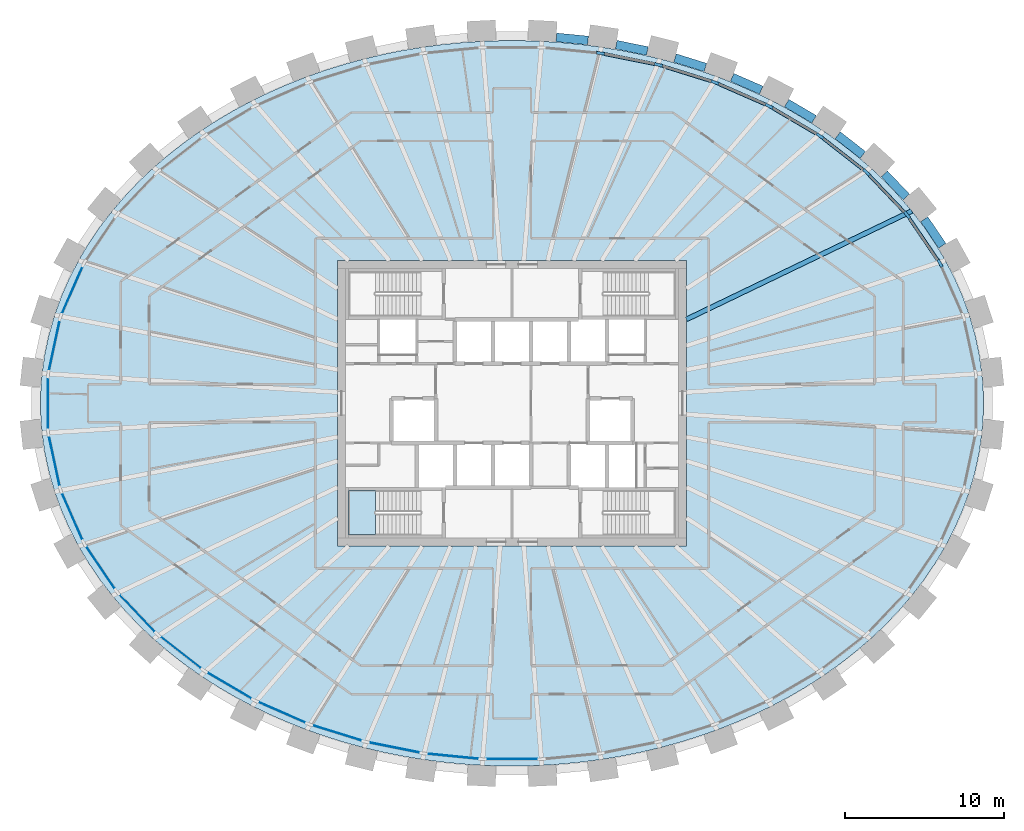
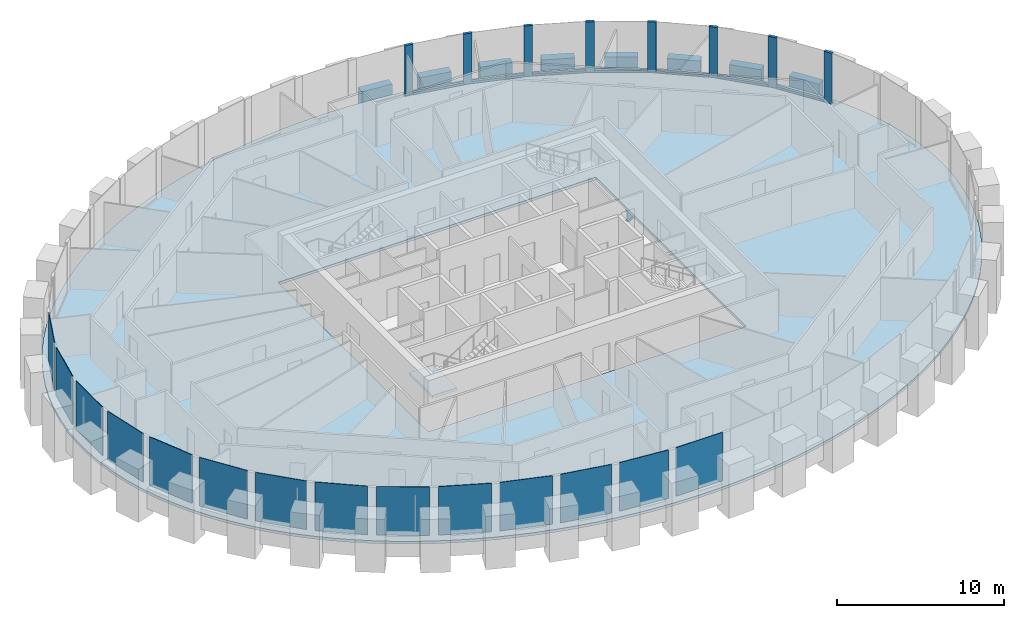
# One storey, part 4 of 11: 15 members, 14 plates, 9 beams, 2 slabs, 2 elements without a shape of their own.
"""IFC4 building model written with IfcOpenShell, lengths in metres."""

from ifc_helpers import new_model, si_unit, direction, frame, origin, origin_2d, place, context, subcontext, project, spatial, polyline, rectangle, i_section, outline, extrude, source, transform, mapped, material, layer, layer_set, material_profile, profile_set, type_object, element, aggregate, save


model = new_model("IFC4")

# Units and contexts
model_context = context("Model", 3, precision=1e-05, world=origin(), true_north=direction((0.0, 1.0)))
body_context = subcontext(model_context, "Body", "Model", "MODEL_VIEW")
ifc_project = project(units=[si_unit("LENGTHUNIT", "METRE"), si_unit("AREAUNIT", "SQUARE_METRE"), si_unit("VOLUMEUNIT", "CUBIC_METRE"), si_unit("PLANEANGLEUNIT", "RADIAN"), si_unit("MASSUNIT", "GRAM", prefix="KILO")], contexts=[model_context])

# Site, building, storey
site_placement = place(None, origin())
site = spatial("IfcSite", under=ifc_project, at=site_placement, CompositionType="ELEMENT")
building_placement = place(site_placement, origin())
building = spatial("IfcBuilding", under=site, at=building_placement, Name="Embergate Tower", CompositionType="ELEMENT")
storey_placement = place(building_placement, frame((0.0, 0.0, 305.199951171875)))
storey = spatial("IfcBuildingStorey", under=building, at=storey_placement, Name="L71", CompositionType="ELEMENT", Elevation=305.199951171875)

# Beams
ifc_material_1 = material(Name="Concrete C50", Category="concrete")
ifc_material_profile_1 = material_profile(ifc_material_1, rectangle(XDim=0.550048828125, YDim=1.5, at=origin_2d()), Name="RC 550x1500")
ifc_profile_set_1 = profile_set([ifc_material_profile_1], Name="Concrete C50")
beam_type_1 = type_object("IfcBeamType", Name="Spandrel beam RC 550x1500 C50", PredefinedType="BEAM", material=ifc_profile_set_1)
shared_shape_1 = source(origin(), body_context, "Body", "SweptSolid", [
    extrude(rectangle(XDim=0.550048828125, YDim=1.5, at=origin_2d()), origin(), (0.0, 0.0, 1.0), 2.02392578125),
])
beam_1_placement = place(storey_placement, frame((27.137939453125, 9.93505859375, 0.0), z_axis=(-0.562220937061, 0.826987072408, 0.0), x_axis=(-0.826987072408, -0.562220937061, 0.0)))
element("IfcBeam", 1, at=beam_1_placement, inside=storey, type_object=beam_type_1, Name="SPN-L71-02", PredefinedType="BEAM", context=body_context, shape_type="MappedRepresentation", body=[
    mapped(shared_shape_1, transform((0.0, 0.0, 0.0))),
])
shared_shape_2 = source(origin(), body_context, "Body", "SweptSolid", [
    extrude(rectangle(XDim=0.550048828125, YDim=1.5, at=origin_2d()), origin(), (0.0, 0.0, 1.0), 2.0185546875),
])
beam_2_placement = place(storey_placement, frame((24.868896484375, 13.009033203125, 0.0), z_axis=(-0.690032605045, 0.723778283714, 0.0), x_axis=(-0.723778283714, -0.690032605045, 0.0)))
element("IfcBeam", 2, at=beam_2_placement, inside=storey, type_object=beam_type_1, Name="SPN-L71-03", PredefinedType="BEAM", context=body_context, shape_type="MappedRepresentation", body=[
    mapped(shared_shape_2, transform((0.0, 0.0, 0.0))),
])
shared_shape_3 = source(origin(), body_context, "Body", "SweptSolid", [
    extrude(rectangle(XDim=0.550048828125, YDim=1.5, at=origin_2d()), origin(), (0.0, 0.0, 1.0), 2.011962890625),
])
beam_3_placement = place(storey_placement, frame((22.1279296875, 15.6640625, 0.0), z_axis=(-0.788259795351, 0.615342583471, 0.0), x_axis=(-0.615342583471, -0.788259795351, 0.0)))
element("IfcBeam", 3, at=beam_3_placement, inside=storey, type_object=beam_type_1, Name="SPN-L71-04", PredefinedType="BEAM", context=body_context, shape_type="MappedRepresentation", body=[
    mapped(shared_shape_3, transform((0.0, 0.0, 0.0))),
])
shared_shape_4 = source(origin(), body_context, "Body", "SweptSolid", [
    extrude(rectangle(XDim=0.550048828125, YDim=1.5, at=origin_2d()), origin(), (0.0, 0.0, 1.0), 2.008056640625),
])
beam_4_placement = place(storey_placement, frame((19.052978515625, 17.9140625, 0.0), z_axis=(-0.86201859197, 0.506876658663, 0.0), x_axis=(-0.506876658663, -0.86201859197, 0.0)))
element("IfcBeam", 4, at=beam_4_placement, inside=storey, type_object=beam_type_1, Name="SPN-L71-05", PredefinedType="BEAM", context=body_context, shape_type="MappedRepresentation", body=[
    mapped(shared_shape_4, transform((0.0, 0.0, 0.0))),
])
shared_shape_5 = source(origin(), body_context, "Body", "SweptSolid", [
    extrude(rectangle(XDim=0.550048828125, YDim=1.5, at=origin_2d()), origin(), (0.0, 0.0, 1.0), 2.0068359375),
])
beam_5_placement = place(storey_placement, frame((15.718994140625, 19.75, 0.0), z_axis=(-0.916455842534, 0.400135837793, 0.0), x_axis=(-0.400135837793, -0.916455842534, 0.0)))
element("IfcBeam", 5, at=beam_5_placement, inside=storey, type_object=beam_type_1, Name="SPN-L71-06", PredefinedType="BEAM", context=body_context, shape_type="MappedRepresentation", body=[
    mapped(shared_shape_5, transform((0.0, 0.0, 0.0))),
])
shared_shape_6 = source(origin(), body_context, "Body", "SweptSolid", [
    extrude(rectangle(XDim=0.550048828125, YDim=1.5, at=origin_2d()), origin(), (0.0, 0.0, 1.0), 2.0048828125),
])
beam_6_placement = place(storey_placement, frame((12.194091796875, 21.181884765625, 0.0), z_axis=(-0.954756929567, 0.297387298725, 0.0), x_axis=(-0.297387298725, -0.954756929567, 0.0)))
element("IfcBeam", 6, at=beam_6_placement, inside=storey, type_object=beam_type_1, Name="SPN-L71-07", PredefinedType="BEAM", context=body_context, shape_type="MappedRepresentation", body=[
    mapped(shared_shape_6, transform((0.0, 0.0, 0.0))),
])
shared_shape_7 = source(origin(), body_context, "Body", "SweptSolid", [
    extrude(rectangle(XDim=0.550048828125, YDim=1.5, at=origin_2d()), origin(), (0.0, 0.0, 1.0), 2.003173828125),
])
beam_7_placement = place(storey_placement, frame((8.535888671875, 22.222900390625, 0.0), z_axis=(-0.980364457571, 0.197194143753, 0.0), x_axis=(-0.197194143753, -0.980364457571, 0.0)))
element("IfcBeam", 7, at=beam_7_placement, inside=storey, type_object=beam_type_1, Name="SPN-L71-08", PredefinedType="BEAM", context=body_context, shape_type="MappedRepresentation", body=[
    mapped(shared_shape_7, transform((0.0, 0.0, 0.0))),
])
shared_shape_8 = source(origin(), body_context, "Body", "SweptSolid", [
    extrude(rectangle(XDim=0.550048828125, YDim=1.5, at=origin_2d()), origin(), (0.0, 0.0, 1.0), 2.00341796875),
])
beam_8_placement = place(storey_placement, frame((4.7919921875, 22.883056640625, 0.0), z_axis=(-0.995201107697, 0.097850678276, 0.0), x_axis=(-0.097850678276, -0.995201107697, 0.0)))
element("IfcBeam", 8, at=beam_8_placement, inside=storey, type_object=beam_type_1, Name="SPN-L71-09", PredefinedType="BEAM", context=body_context, shape_type="MappedRepresentation", body=[
    mapped(shared_shape_8, transform((0.0, 0.0, 0.0))),
])
ifc_material_2 = material(Name="Steel Q355B", Category="steel")
ifc_material_profile_2 = material_profile(ifc_material_2, i_section(OverallWidth=0.300048828125, OverallDepth=0.800048828125, WebThickness=0.013916015625, FlangeThickness=0.02587890625, FilletRadius=0.028076171875, at=origin_2d()), Name="HN 800x300x14x26")
ifc_profile_set_2 = profile_set([ifc_material_profile_2], Name="Steel Q355 grade B")
beam_type_2 = type_object("IfcBeamType", Name="Radial girder HN 800x300x14x26", PredefinedType="BEAM", material=ifc_profile_set_2)
shared_shape_9 = source(origin(), body_context, "Body", "SweptSolid", [
    extrude(i_section(OverallWidth=0.300048828125, OverallDepth=0.800048828125, WebThickness=0.013916015625, FlangeThickness=0.02587890625, FilletRadius=0.028076171875, at=origin_2d()), origin(), (0.0, 0.0, 1.0), 15.775634765625),
])
beam_9_placement = place(storey_placement, frame((25.216064453125, 12.131103515625, -0.599853515625), z_axis=(-0.901141870193, -0.433524312795, 0.0), x_axis=(0.433524312795, -0.901141870193, 0.0)))
element("IfcBeam", 9, at=beam_9_placement, inside=storey, type_object=beam_type_2, Name="GIR-L71-03", PredefinedType="BEAM", context=body_context, shape_type="MappedRepresentation", body=[
    mapped(shared_shape_9, transform((0.0, 0.0, 0.0))),
])

# Curtain wall, members
ifc_material_3 = material(Name="Aluminium and glass", Category="aluminium")
curtain_wall_type = type_object("IfcCurtainWallType", Name="Recessed office glazing", PredefinedType="NOTDEFINED", material=ifc_material_3)
curtain_wall_placement = place(storey_placement, origin())
curtain_wall = element("IfcCurtainWall", 10, at=curtain_wall_placement, inside=storey, type_object=curtain_wall_type, Name="Recessed office glazing ring", ObjectType="RECESSED OFFICE GLAZING", PredefinedType="USERDEFINED")
ifc_material_4 = material(Name="Aluminium, thermally broken", Category="aluminium")
ifc_material_profile_3 = material_profile(ifc_material_4, rectangle(XDim=0.179931640625, YDim=0.52001953125, at=origin_2d()), Name="AL 520x180")
ifc_profile_set_3 = profile_set([ifc_material_profile_3], Name="Aluminium, thermally broken")
member_type_1 = type_object("IfcMemberType", Name="Office mullion", PredefinedType="MULLION", material=ifc_profile_set_3)
shared_shape_10 = source(origin(), body_context, "Body", "SweptSolid", [
    extrude(rectangle(XDim=0.179931640625, YDim=0.52001953125, at=origin_2d()), origin(), (0.0, 0.0, 1.0), 3.699951171875),
])
member_1_placement = place(storey_placement, frame((26.994140625, 8.824951171875, 0.0), z_axis=(0.0, 0.0, 1.0), x_axis=(-0.87499344622, -0.484134763338, 0.0)))
member_1 = element("IfcMember", 11, at=member_1_placement, type_object=member_type_1, Name="CW mullion 3", PredefinedType="MULLION", context=body_context, shape_type="MappedRepresentation", body=[
    mapped(shared_shape_10, transform((0.0, 0.0, 0.0))),
])
member_2_placement = place(storey_placement, frame((24.913330078125, 11.884765625, 0.0), z_axis=(0.0, 0.0, 1.0), x_axis=(-0.777863789852, -0.628432911643, 0.0)))
member_2 = element("IfcMember", 12, at=member_2_placement, type_object=member_type_1, Name="CW mullion 4", PredefinedType="MULLION", context=body_context, shape_type="MappedRepresentation", body=[
    mapped(shared_shape_10, transform((0.0, 0.0, 0.0))),
])
member_3_placement = place(storey_placement, frame((22.353759765625, 14.56884765625, 0.0), z_axis=(0.0, 0.0, 1.0), x_axis=(-0.671220065284, -0.741258135847, 0.0)))
member_3 = element("IfcMember", 13, at=member_3_placement, type_object=member_type_1, Name="CW mullion 5", PredefinedType="MULLION", context=body_context, shape_type="MappedRepresentation", body=[
    mapped(shared_shape_10, transform((0.0, 0.0, 0.0))),
])
member_4_placement = place(storey_placement, frame((19.42431640625, 16.855224609375, 0.0), z_axis=(0.0, 0.0, 1.0), x_axis=(-0.56221328843, -0.826992272221, 0.0)))
member_4 = element("IfcMember", 14, at=member_4_placement, type_object=member_type_1, Name="CW mullion 6", PredefinedType="MULLION", context=body_context, shape_type="MappedRepresentation", body=[
    mapped(shared_shape_10, transform((0.0, 0.0, 0.0))),
])
member_5_placement = place(storey_placement, frame((16.2158203125, 18.741455078125, 0.0), z_axis=(0.0, 0.0, 1.0), x_axis=(-0.454508271251, -0.890742516872, 0.0)))
member_5 = element("IfcMember", 15, at=member_5_placement, type_object=member_type_1, Name="CW mullion 7", PredefinedType="MULLION", context=body_context, shape_type="MappedRepresentation", body=[
    mapped(shared_shape_10, transform((0.0, 0.0, 0.0))),
])
member_6_placement = place(storey_placement, frame((12.801513671875, 20.234619140625, 0.0), z_axis=(0.0, 0.0, 1.0), x_axis=(-0.349501047589, -0.936935973124, 0.0)))
member_6 = element("IfcMember", 16, at=member_6_placement, type_object=member_type_1, Name="CW mullion 8", PredefinedType="MULLION", context=body_context, shape_type="MappedRepresentation", body=[
    mapped(shared_shape_10, transform((0.0, 0.0, 0.0))),
])
member_7_placement = place(storey_placement, frame((9.240478515625, 21.343505859375, 0.0), z_axis=(0.0, 0.0, 1.0), x_axis=(-0.24731188137, -0.968935928394, 0.0)))
member_7 = element("IfcMember", 17, at=member_7_placement, type_object=member_type_1, Name="CW mullion 9", PredefinedType="MULLION", context=body_context, shape_type="MappedRepresentation", body=[
    mapped(shared_shape_10, transform((0.0, 0.0, 0.0))),
])
member_8_placement = place(storey_placement, frame((5.581787109375, 22.0771484375, 0.0), z_axis=(0.0, 0.0, 1.0), x_axis=(-0.147412382818, -0.989075118174, 0.0)))
member_8 = element("IfcMember", 18, at=member_8_placement, type_object=member_type_1, Name="CW mullion 10", PredefinedType="MULLION", context=body_context, shape_type="MappedRepresentation", body=[
    mapped(shared_shape_10, transform((0.0, 0.0, 0.0))),
])
ifc_material_profile_4 = material_profile(ifc_material_4, rectangle(XDim=0.179931640625, YDim=0.14990234375, at=origin_2d()), Name="AL 150x180")
ifc_profile_set_4 = profile_set([ifc_material_profile_4], Name="Aluminium, thermally broken")
member_type_2 = type_object("IfcMemberType", Name="Office sill transom", PredefinedType="USERDEFINED", material=ifc_profile_set_4)
shared_shape_11 = source(origin(), body_context, "Body", "SweptSolid", [
    extrude(rectangle(XDim=0.179931640625, YDim=0.14990234375, at=origin_2d()), origin(), (0.0, 0.0, 1.0), 3.180419921875),
])
member_9_placement = place(storey_placement, frame((26.847900390625, 9.039794921875, 0.074951171875), z_axis=(-0.562276427382, 0.826949345009, 0.0), x_axis=(-0.826949345009, -0.562276427382, 0.0)))
member_9 = element("IfcMember", 19, at=member_9_placement, type_object=member_type_2, Name="CW transom 3.1", ObjectType="TRANSOM", PredefinedType="USERDEFINED", context=body_context, shape_type="MappedRepresentation", body=[
    mapped(shared_shape_11, transform((0.0, 0.0, 0.0))),
])
shared_shape_12 = source(origin(), body_context, "Body", "SweptSolid", [
    extrude(rectangle(XDim=0.179931640625, YDim=0.14990234375, at=origin_2d()), origin(), (0.0, 0.0, 1.0), 3.188720703125),
])
member_10_placement = place(storey_placement, frame((24.73388671875, 12.072998046875, 0.074951171875), z_axis=(-0.690140615527, 0.723675293761, 0.0), x_axis=(-0.723675293761, -0.690140615527, 0.0)))
member_10 = element("IfcMember", 20, at=member_10_placement, type_object=member_type_2, Name="CW transom 4.1", ObjectType="TRANSOM", PredefinedType="USERDEFINED", context=body_context, shape_type="MappedRepresentation", body=[
    mapped(shared_shape_12, transform((0.0, 0.0, 0.0))),
])
shared_shape_13 = source(origin(), body_context, "Body", "SweptSolid", [
    extrude(rectangle(XDim=0.179931640625, YDim=0.14990234375, at=origin_2d()), origin(), (0.0, 0.0, 1.0), 3.196044921875),
])
member_11_placement = place(storey_placement, frame((22.148681640625, 14.728759765625, 0.074951171875), z_axis=(-0.788302228684, 0.615288222098, 0.0), x_axis=(-0.615288222098, -0.788302228684, 0.0)))
member_11 = element("IfcMember", 21, at=member_11_placement, type_object=member_type_2, Name="CW transom 5.1", ObjectType="TRANSOM", PredefinedType="USERDEFINED", context=body_context, shape_type="MappedRepresentation", body=[
    mapped(shared_shape_13, transform((0.0, 0.0, 0.0))),
])
shared_shape_14 = source(origin(), body_context, "Body", "SweptSolid", [
    extrude(rectangle(XDim=0.179931640625, YDim=0.14990234375, at=origin_2d()), origin(), (0.0, 0.0, 1.0), 3.201904296875),
])
member_12_placement = place(storey_placement, frame((19.2001953125, 16.98681640625, 0.074951171875), z_axis=(-0.862053756613, 0.506816851248, 0.0), x_axis=(-0.506816851248, -0.862053756613, 0.0)))
member_12 = element("IfcMember", 22, at=member_12_placement, type_object=member_type_2, Name="CW transom 6.1", ObjectType="TRANSOM", PredefinedType="USERDEFINED", context=body_context, shape_type="MappedRepresentation", body=[
    mapped(shared_shape_14, transform((0.0, 0.0, 0.0))),
])
shared_shape_15 = source(origin(), body_context, "Body", "SweptSolid", [
    extrude(rectangle(XDim=0.179931640625, YDim=0.14990234375, at=origin_2d()), origin(), (0.0, 0.0, 1.0), 3.206298828125),
])
member_13_placement = place(storey_placement, frame((15.9775390625, 18.845703125, 0.074951171875), z_axis=(-0.916225475643, 0.400663047688, 0.0), x_axis=(-0.400663047688, -0.916225475643, 0.0)))
member_13 = element("IfcMember", 23, at=member_13_placement, type_object=member_type_2, Name="CW transom 7.1", ObjectType="TRANSOM", PredefinedType="USERDEFINED", context=body_context, shape_type="MappedRepresentation", body=[
    mapped(shared_shape_15, transform((0.0, 0.0, 0.0))),
])
shared_shape_16 = source(origin(), body_context, "Body", "SweptSolid", [
    extrude(rectangle(XDim=0.179931640625, YDim=0.14990234375, at=origin_2d()), origin(), (0.0, 0.0, 1.0), 3.20947265625),
])
member_14_placement = place(storey_placement, frame((12.55322265625, 20.311767578125, 0.074951171875), z_axis=(-0.954765144534, 0.297360923431, 0.0), x_axis=(-0.297360923431, -0.954765144534, 0.0)))
member_14 = element("IfcMember", 24, at=member_14_placement, type_object=member_type_2, Name="CW transom 8.1", ObjectType="TRANSOM", PredefinedType="USERDEFINED", context=body_context, shape_type="MappedRepresentation", body=[
    mapped(shared_shape_16, transform((0.0, 0.0, 0.0))),
])
shared_shape_17 = source(origin(), body_context, "Body", "SweptSolid", [
    extrude(rectangle(XDim=0.179931640625, YDim=0.14990234375, at=origin_2d()), origin(), (0.0, 0.0, 1.0), 3.211669921875),
])
member_15_placement = place(storey_placement, frame((8.985595703125, 21.39453125, 0.074951171875), z_axis=(-0.980472347912, 0.196656998298, 0.0), x_axis=(-0.196656998298, -0.980472347912, 0.0)))
member_15 = element("IfcMember", 25, at=member_15_placement, type_object=member_type_2, Name="CW transom 9.1", ObjectType="TRANSOM", PredefinedType="USERDEFINED", context=body_context, shape_type="MappedRepresentation", body=[
    mapped(shared_shape_17, transform((0.0, 0.0, 0.0))),
])

# Slab
ifc_material_5 = material(Name="Concrete C40", Category="concrete")
ifc_layer_1 = layer(ifc_material_5, 0.199951171875)
ifc_layer_set_1 = layer_set([ifc_layer_1], Name="Concrete C40")
slab_type_1 = type_object("IfcSlabType", Name="Composite floor slab C40 200", PredefinedType="FLOOR", material=ifc_layer_set_1)
shared_shape_18 = source(origin(), body_context, "Body", "SweptSolid", [
    extrude(outline(polyline([(0.0, 0.0), (1.2578125, 0.0), (2.514892578125, 0.041015625), (3.77197265625, 0.123046875), (5.02392578125, 0.24609375), (6.267822265625, 0.41015625), (7.513916015625, 0.615966796875), (8.746826171875, 0.864013671875), (9.9658203125, 1.152099609375), (11.18701171875, 1.485107421875), (12.387939453125, 1.859130859375), (13.56591796875, 2.27294921875), (14.746826171875, 2.737060546875), (15.89892578125, 3.240966796875), (17.02099609375, 3.783935546875), (18.142822265625, 4.382080078125), (19.226806640625, 5.02001953125), (20.27197265625, 5.695068359375), (21.309814453125, 6.43212890625), (22.301025390625, 7.205078125), (23.243896484375, 8.01416015625), (24.1689453125, 8.89013671875), (25.035888671875, 9.800048828125), (25.844970703125, 10.741943359375), (26.619873046875, 11.7529296875), (27.326904296875, 12.7919921875), (27.9638671875, 13.858154296875), (28.546875, 14.987060546875), (29.052001953125, 16.137939453125), (29.476806640625, 17.30810546875), (29.827880859375, 18.52392578125), (30.091796875, 19.751953125), (30.268798828125, 20.989990234375), (30.35888671875, 22.2451171875), (30.35888671875, 23.5009765625), (30.268798828125, 24.756103515625), (30.091796875, 25.994140625), (29.827880859375, 27.22216796875), (29.476806640625, 28.43798828125), (29.052001953125, 29.608154296875), (28.546875, 30.759033203125), (27.9638671875, 31.887939453125), (27.326904296875, 32.9541015625), (26.619873046875, 33.9931640625), (25.844970703125, 35.004150390625), (25.035888671875, 35.946044921875), (24.1689453125, 36.85595703125), (23.243896484375, 37.73193359375), (22.301025390625, 38.541015625), (21.309814453125, 39.31396484375), (20.27197265625, 40.051025390625), (19.226806640625, 40.72607421875), (18.142822265625, 41.364013671875), (17.02099609375, 41.962158203125), (15.89892578125, 42.505126953125), (14.746826171875, 43.009033203125), (13.56591796875, 43.47314453125), (12.387939453125, 43.886962890625), (11.18701171875, 44.260986328125), (9.9658203125, 44.593994140625), (8.746826171875, 44.882080078125), (7.513916015625, 45.130126953125), (6.267822265625, 45.3359375), (5.02392578125, 45.5), (3.77197265625, 45.623046875), (2.514892578125, 45.705078125), (1.2578125, 45.74609375), (0.0, 45.74609375), (-1.257080078125, 45.705078125), (-2.51416015625, 45.623046875), (-3.76611328125, 45.5), (-5.010009765625, 45.3359375), (-6.256103515625, 45.130126953125), (-7.489013671875, 44.882080078125), (-8.7080078125, 44.593994140625), (-9.92919921875, 44.260986328125), (-11.130126953125, 43.886962890625), (-12.30810546875, 43.47314453125), (-13.489013671875, 43.009033203125), (-14.64111328125, 42.505126953125), (-15.76318359375, 41.962158203125), (-16.885009765625, 41.364013671875), (-17.968994140625, 40.72607421875), (-19.01416015625, 40.051025390625), (-20.052001953125, 39.31396484375), (-21.043212890625, 38.541015625), (-21.986083984375, 37.73193359375), (-22.9111328125, 36.85595703125), (-23.778076171875, 35.946044921875), (-24.587158203125, 35.004150390625), (-25.362060546875, 33.9931640625), (-26.069091796875, 32.9541015625), (-26.7060546875, 31.887939453125), (-27.2890625, 30.759033203125), (-27.794189453125, 29.608154296875), (-28.218994140625, 28.43798828125), (-28.570068359375, 27.22216796875), (-28.833984375, 25.994140625), (-29.010986328125, 24.756103515625), (-29.10107421875, 23.5009765625), (-29.10107421875, 22.2451171875), (-29.010986328125, 20.989990234375), (-28.833984375, 19.751953125), (-28.570068359375, 18.52392578125), (-28.218994140625, 17.30810546875), (-27.794189453125, 16.137939453125), (-27.2890625, 14.987060546875), (-26.7060546875, 13.858154296875), (-26.069091796875, 12.7919921875), (-25.362060546875, 11.7529296875), (-24.587158203125, 10.741943359375), (-23.778076171875, 9.800048828125), (-22.9111328125, 8.89013671875), (-21.986083984375, 8.01416015625), (-21.043212890625, 7.205078125), (-20.052001953125, 6.43212890625), (-19.01416015625, 5.695068359375), (-17.968994140625, 5.02001953125), (-16.885009765625, 4.382080078125), (-15.76318359375, 3.783935546875), (-14.64111328125, 3.240966796875), (-13.489013671875, 2.737060546875), (-12.30810546875, 2.27294921875), (-11.130126953125, 1.859130859375), (-9.92919921875, 1.485107421875), (-8.7080078125, 1.152099609375), (-7.489013671875, 0.864013671875), (-6.256103515625, 0.615966796875), (-5.010009765625, 0.41015625), (-3.76611328125, 0.24609375), (-2.51416015625, 0.123046875), (-1.257080078125, 0.041015625), (0.0, 0.0)]), holes=[polyline([(-10.37109375, 13.873046875), (-10.37109375, 31.873046875), (11.62890625, 31.873046875), (11.62890625, 13.873046875), (-10.37109375, 13.873046875)])]), origin(), (0.0, 0.0, 1.0), 0.199951171875),
])
slab_1_placement = place(storey_placement, frame((-0.62890625, -22.873046875, -0.199951171875)))
element("IfcSlab", 26, at=slab_1_placement, inside=storey, type_object=slab_type_1, Name="SLB-L71-00", PredefinedType="FLOOR", context=body_context, shape_type="MappedRepresentation", body=[
    mapped(shared_shape_18, transform((0.0, 0.0, 0.0))),
])

# Plate
ifc_material_6 = material(Name="Triple glazing, low-emissivity coating", Category="glass")
ifc_layer_2 = layer(ifc_material_6, 0.035888671875)
ifc_layer_set_2 = layer_set([ifc_layer_2], Name="Triple glazing, low-emissivity coating")
plate_type = type_object("IfcPlateType", Name="Office glazing unit", PredefinedType="CURTAIN_PANEL", material=ifc_layer_set_2)
shared_shape_19 = source(origin(), body_context, "Body", "SweptSolid", [
    extrude(rectangle(XDim=3.1650390625, YDim=0.035888671875, at=origin_2d()), origin(), (0.0, 0.0, 1.0), 3.550048828125),
])
plate_1_placement = place(storey_placement, frame((-28.86474609375, 3.642578125, 0.14990234375), z_axis=(0.0, 0.0, 1.0), x_axis=(-0.210398391177, -0.97761573074, 0.0)))
plate_1 = element("IfcPlate", 27, at=plate_1_placement, type_object=plate_type, Name="CW panel 21.1", PredefinedType="CURTAIN_PANEL", context=body_context, shape_type="MappedRepresentation", body=[
    mapped(shared_shape_19, transform((0.0, 0.0, 0.0))),
])

plate_2_placement = place(storey_placement, frame((-28.86474609375, -3.642578125, 0.14990234375), z_axis=(0.0, 0.0, 1.0), x_axis=(0.210398391177, -0.97761573074, 0.0)))
plate_2 = element("IfcPlate", 28, at=plate_2_placement, type_object=plate_type, Name="CW panel 23.1", PredefinedType="CURTAIN_PANEL", context=body_context, shape_type="MappedRepresentation", body=[
    mapped(shared_shape_19, transform((0.0, 0.0, 0.0))),
])

shared_shape_20 = source(origin(), body_context, "Body", "SweptSolid", [
    extrude(rectangle(XDim=3.171875, YDim=0.035888671875, at=origin_2d()), origin(), (0.0, 0.0, 1.0), 3.550048828125),
])
plate_3_placement = place(storey_placement, frame((-27.735595703125, 7.134521484375, 0.14990234375), z_axis=(0.0, 0.0, 1.0), x_axis=(-0.401652101157, -0.91579232888, 0.0)))
plate_3 = element("IfcPlate", 29, at=plate_3_placement, type_object=plate_type, Name="CW panel 20.1", PredefinedType="CURTAIN_PANEL", context=body_context, shape_type="MappedRepresentation", body=[
    mapped(shared_shape_20, transform((0.0, 0.0, 0.0))),
])

plate_4_placement = place(storey_placement, frame((-27.735595703125, -7.134521484375, 0.14990234375), z_axis=(0.0, 0.0, 1.0), x_axis=(0.401652101157, -0.91579232888, 0.0)))
plate_4 = element("IfcPlate", 30, at=plate_4_placement, type_object=plate_type, Name="CW panel 24.1", PredefinedType="CURTAIN_PANEL", context=body_context, shape_type="MappedRepresentation", body=[
    mapped(shared_shape_20, transform((0.0, 0.0, 0.0))),
])

shared_shape_21 = source(origin(), body_context, "Body", "SweptSolid", [
    extrude(rectangle(XDim=3.180419921875, YDim=0.035888671875, at=origin_2d()), origin(), (0.0, 0.0, 1.0), 3.550048828125),
])
plate_5_placement = place(storey_placement, frame((-25.95361328125, -10.354736328125, 0.14990234375), z_axis=(0.0, 0.0, 1.0), x_axis=(0.562341741915, -0.826904931234, 0.0)))
plate_5 = element("IfcPlate", 31, at=plate_5_placement, type_object=plate_type, Name="CW panel 25.1", PredefinedType="CURTAIN_PANEL", context=body_context, shape_type="MappedRepresentation", body=[
    mapped(shared_shape_21, transform((0.0, 0.0, 0.0))),
])

shared_shape_22 = source(origin(), body_context, "Body", "SweptSolid", [
    extrude(rectangle(XDim=3.188720703125, YDim=0.035888671875, at=origin_2d()), origin(), (0.0, 0.0, 1.0), 3.550048828125),
])
plate_6_placement = place(storey_placement, frame((-23.633544921875, -13.226806640625, 0.14990234375), z_axis=(0.0, 0.0, 1.0), x_axis=(0.6901325214, -0.723683012724, 0.0)))
plate_6 = element("IfcPlate", 32, at=plate_6_placement, type_object=plate_type, Name="CW panel 26.1", PredefinedType="CURTAIN_PANEL", context=body_context, shape_type="MappedRepresentation", body=[
    mapped(shared_shape_22, transform((0.0, 0.0, 0.0))),
])

shared_shape_23 = source(origin(), body_context, "Body", "SweptSolid", [
    extrude(rectangle(XDim=3.196044921875, YDim=0.035888671875, at=origin_2d()), origin(), (0.0, 0.0, 1.0), 3.550048828125),
])
plate_7_placement = place(storey_placement, frame((-20.888916015625, -15.7119140625, 0.14990234375), z_axis=(0.0, 0.0, 1.0), x_axis=(0.788317971569, -0.615268051911, 0.0)))
plate_7 = element("IfcPlate", 33, at=plate_7_placement, type_object=plate_type, Name="CW panel 27.1", PredefinedType="CURTAIN_PANEL", context=body_context, shape_type="MappedRepresentation", body=[
    mapped(shared_shape_23, transform((0.0, 0.0, 0.0))),
])

shared_shape_24 = source(origin(), body_context, "Body", "SweptSolid", [
    extrude(rectangle(XDim=3.201904296875, YDim=0.035888671875, at=origin_2d()), origin(), (0.0, 0.0, 1.0), 3.550048828125),
])
plate_8_placement = place(storey_placement, frame((-17.820068359375, -17.79833984375, 0.14990234375), z_axis=(0.0, 0.0, 1.0), x_axis=(0.862050514108, -0.506822366443, 0.0)))
plate_8 = element("IfcPlate", 34, at=plate_8_placement, type_object=plate_type, Name="CW panel 28.1", PredefinedType="CURTAIN_PANEL", context=body_context, shape_type="MappedRepresentation", body=[
    mapped(shared_shape_24, transform((0.0, 0.0, 0.0))),
])

shared_shape_25 = source(origin(), body_context, "Body", "SweptSolid", [
    extrude(rectangle(XDim=3.206298828125, YDim=0.035888671875, at=origin_2d()), origin(), (0.0, 0.0, 1.0), 3.550048828125),
])
plate_9_placement = place(storey_placement, frame((-14.508544921875, -19.488037109375, 0.14990234375), z_axis=(0.0, 0.0, 1.0), x_axis=(0.91623411399, -0.400643293168, 0.0)))
plate_9 = element("IfcPlate", 35, at=plate_9_placement, type_object=plate_type, Name="CW panel 29.1", PredefinedType="CURTAIN_PANEL", context=body_context, shape_type="MappedRepresentation", body=[
    mapped(shared_shape_25, transform((0.0, 0.0, 0.0))),
])

shared_shape_26 = source(origin(), body_context, "Body", "SweptSolid", [
    extrude(rectangle(XDim=3.209716796875, YDim=0.035888671875, at=origin_2d()), origin(), (0.0, 0.0, 1.0), 3.550048828125),
])
plate_10_placement = place(storey_placement, frame((-11.02099609375, -20.788818359375, 0.14990234375), z_axis=(0.0, 0.0, 1.0), x_axis=(0.954771179262, -0.297341546458, 0.0)))
plate_10 = element("IfcPlate", 36, at=plate_10_placement, type_object=plate_type, Name="CW panel 30.1", PredefinedType="CURTAIN_PANEL", context=body_context, shape_type="MappedRepresentation", body=[
    mapped(shared_shape_26, transform((0.0, 0.0, 0.0))),
])

shared_shape_27 = source(origin(), body_context, "Body", "SweptSolid", [
    extrude(rectangle(XDim=3.211669921875, YDim=0.035888671875, at=origin_2d()), origin(), (0.0, 0.0, 1.0), 3.550048828125),
])
plate_11_placement = place(storey_placement, frame((-7.4111328125, -21.710205078125, 0.14990234375), z_axis=(0.0, 0.0, 1.0), x_axis=(0.980475221003, -0.196642673395, 0.0)))
plate_11 = element("IfcPlate", 37, at=plate_11_placement, type_object=plate_type, Name="CW panel 31.1", PredefinedType="CURTAIN_PANEL", context=body_context, shape_type="MappedRepresentation", body=[
    mapped(shared_shape_27, transform((0.0, 0.0, 0.0))),
])

shared_shape_28 = source(origin(), body_context, "Body", "SweptSolid", [
    extrude(rectangle(XDim=3.212890625, YDim=0.035888671875, at=origin_2d()), origin(), (0.0, 0.0, 1.0), 3.550048828125),
])
plate_12_placement = place(storey_placement, frame((-3.72412109375, -22.259765625, 0.14990234375), z_axis=(0.0, 0.0, 1.0), x_axis=(0.995203014042, -0.097831287645, 0.0)))
plate_12 = element("IfcPlate", 38, at=plate_12_placement, type_object=plate_type, Name="CW panel 32.1", PredefinedType="CURTAIN_PANEL", context=body_context, shape_type="MappedRepresentation", body=[
    mapped(shared_shape_28, transform((0.0, 0.0, 0.0))),
])

shared_shape_29 = source(origin(), body_context, "Body", "SweptSolid", [
    extrude(rectangle(XDim=3.21337890625, YDim=0.035888671875, at=origin_2d()), origin(), (0.0, 0.0, 1.0), 3.550048828125),
])
plate_13_placement = place(storey_placement, frame((0.0, -22.4423828125, 0.14990234375), z_axis=(0.0, 0.0, 1.0), x_axis=(1.0, 0.0, 0.0)))
plate_13 = element("IfcPlate", 39, at=plate_13_placement, type_object=plate_type, Name="CW panel 33.1", PredefinedType="CURTAIN_PANEL", context=body_context, shape_type="MappedRepresentation", body=[
    mapped(shared_shape_29, transform((0.0, 0.0, 0.0))),
])

shared_shape_30 = source(origin(), body_context, "Body", "SweptSolid", [
    extrude(rectangle(XDim=3.16259765625, YDim=0.035888671875, at=origin_2d()), origin(), (0.0, 0.0, 1.0), 3.550048828125),
])
plate_14_placement = place(storey_placement, frame((-29.252197265625, 0.0, 0.14990234375), z_axis=(0.0, 0.0, 1.0), x_axis=(0.0, -1.0, 0.0)))
plate_14 = element("IfcPlate", 40, at=plate_14_placement, type_object=plate_type, Name="CW panel 22.1", PredefinedType="CURTAIN_PANEL", context=body_context, shape_type="MappedRepresentation", body=[
    mapped(shared_shape_30, transform((0.0, 0.0, 0.0))),
])

aggregate(curtain_wall, [member_1, member_2, member_3, member_4, member_5, member_6, member_7, member_8, member_9, member_10, member_11, member_12, member_13, member_14, member_15, plate_3, plate_1, plate_14, plate_2, plate_4, plate_5, plate_6, plate_7, plate_8, plate_9, plate_10, plate_11, plate_12, plate_13])

# Stair, slab
ifc_material_7 = material(Name="Exit stair")
stair_type = type_object("IfcStairType", Name="Exit stair", PredefinedType="HALF_TURN_STAIR", material=ifc_material_7)
stair_placement = place(storey_placement, origin())
stair = element("IfcStair", 41, at=stair_placement, inside=storey, type_object=stair_type, Name="L71 Exit stair 3", PredefinedType="HALF_TURN_STAIR")
ifc_layer_3 = layer(ifc_material_5, 0.199951171875)
ifc_layer_set_3 = layer_set([ifc_layer_3], Name="Concrete C40")
slab_type_2 = type_object("IfcSlabType", Name="Stair landing reinforced concrete", PredefinedType="LANDING", material=ifc_layer_set_3)
shared_shape_31 = source(origin(), body_context, "Body", "SweptSolid", [
    extrude(outline(polyline([(0.0, 0.0), (1.68994140625, 0.0), (1.68994140625, 2.800048828125), (0.0, 2.800048828125), (0.0, 0.0)])), origin(), (0.0, 0.0, 1.0), 0.199951171875),
])
slab_2_placement = place(storey_placement, frame((-10.300048828125, -8.300048828125, 1.75)))
slab_2 = element("IfcSlab", 42, at=slab_2_placement, type_object=slab_type_2, Name="ST3 landing 1", PredefinedType="LANDING", context=body_context, shape_type="MappedRepresentation", body=[
    mapped(shared_shape_31, transform((0.0, 0.0, 0.0))),
])
aggregate(stair, [slab_2])

save(model, "model.ifc")
